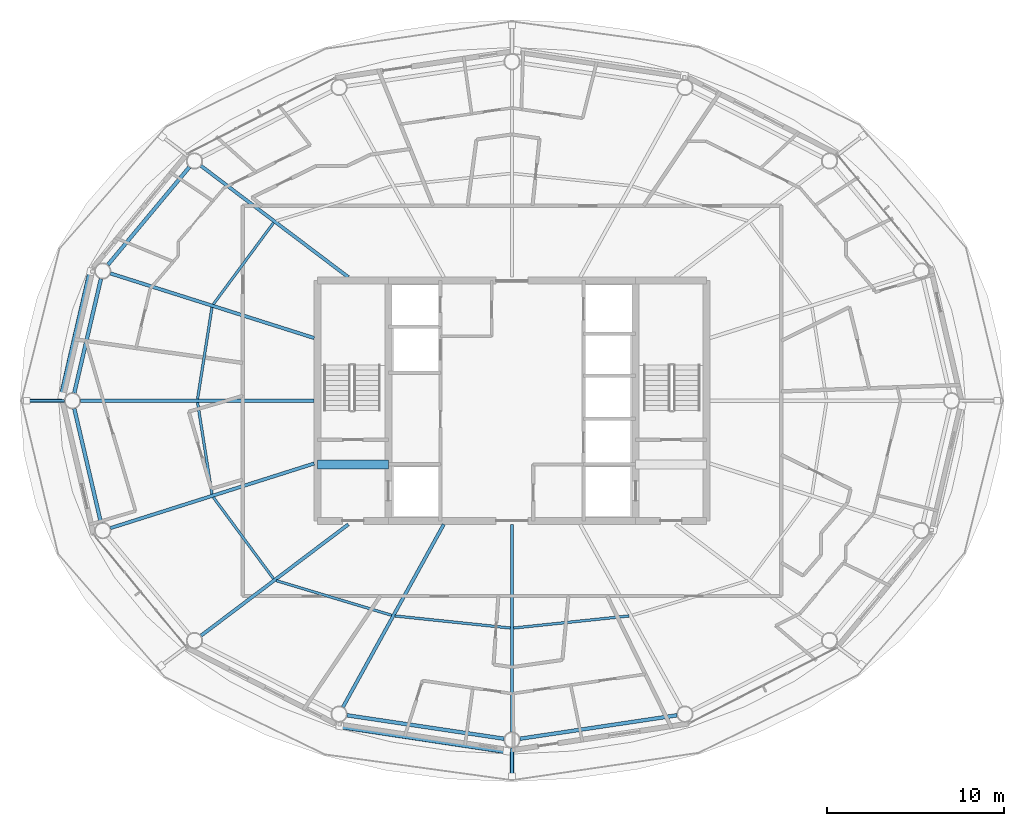
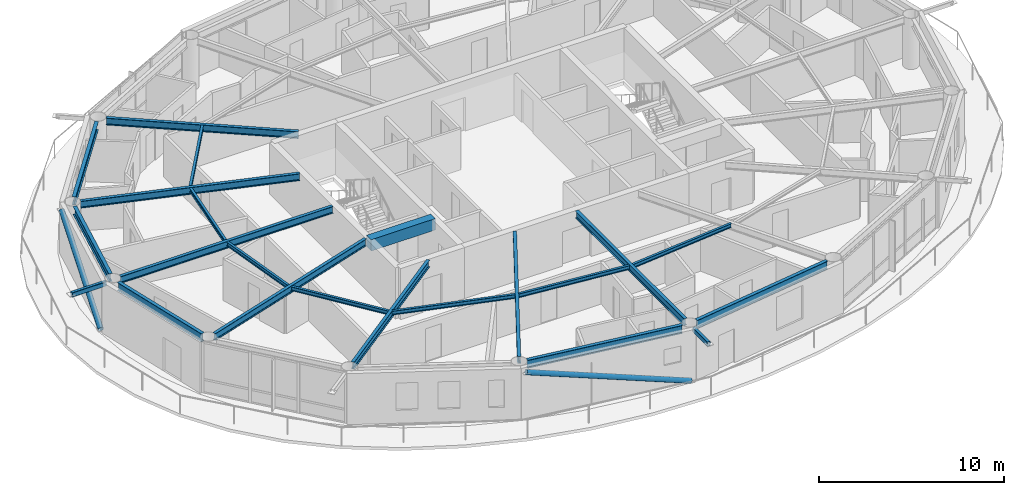
# One storey, part 4 of 23: 20 beams, 4 members.
"""IFC4 building model written with IfcOpenShell, lengths in metres."""

from ifc_helpers import new_model, si_unit, direction, frame, origin, origin_2d, place, context, subcontext, project, spatial, rectangle, hollow_rectangle, hollow_circle, i_section, extrude, material, material_profile, profile_set, type_object, element, save


model = new_model("IFC4")

# Units and contexts
model_context = context("Model", 3, precision=1e-05, world=origin(), true_north=direction((0.0, 1.0)))
body_context = subcontext(model_context, "Body", "Model", "MODEL_VIEW")
ifc_project = project(units=[si_unit("LENGTHUNIT", "METRE"), si_unit("AREAUNIT", "SQUARE_METRE"), si_unit("VOLUMEUNIT", "CUBIC_METRE"), si_unit("PLANEANGLEUNIT", "RADIAN"), si_unit("MASSUNIT", "GRAM", prefix="KILO")], contexts=[model_context])

# Site, building, storey
site_placement = place(None, origin())
site = spatial("IfcSite", under=ifc_project, at=site_placement, CompositionType="ELEMENT")
building_placement = place(site_placement, origin())
building = spatial("IfcBuilding", under=site, at=building_placement, Name="Sarneth Arch Tower", CompositionType="ELEMENT")
storey_placement = place(building_placement, frame((0.0, 0.0, 231.60009765625)))
storey = spatial("IfcBuildingStorey", under=building, at=storey_placement, Name="L59", CompositionType="ELEMENT", Elevation=231.60009765625)

# Beams
ifc_material_1 = material(Name="Steel S355", Category="steel")
ifc_material_profile_1 = material_profile(ifc_material_1, i_section(OverallWidth=0.14794921875, OverallDepth=0.26611328125, WebThickness=0.007568359375, FlangeThickness=0.012939453125, FilletRadius=0.012939453125, at=origin_2d()), Name="W250x44.8")
ifc_profile_set_1 = profile_set([ifc_material_profile_1], Name="Steel S355")
beam_type_1 = type_object("IfcBeamType", Name="BM-JOIST-250", PredefinedType="JOIST", material=ifc_profile_set_1)
beam_1_placement = place(storey_placement, frame((34.5009765625, 52.075439453125, 3.226806640625), z_axis=(-0.594557229879, -0.804053294501, 0.0), x_axis=(0.804053294501, -0.594557229879, 0.0)))
element("IfcBeam", 1, at=beam_1_placement, inside=storey, type_object=beam_type_1, Name="L59 Secondary floor joist 07", PredefinedType="JOIST", context=body_context, shape_type="SweptSolid", body=[
    extrude(i_section(OverallWidth=0.14794921875, OverallDepth=0.26611328125, WebThickness=0.007568359375, FlangeThickness=0.012939453125, FilletRadius=0.012939453125, at=origin_2d()), origin(), (0.0, 0.0, 1.0), 5.74169921875),
])
for number, where, z_axis, x_axis, name in (
    (2, (31.01513671875, 47.286865234375, 3.226806640625), (-0.155421095795, -0.987848309702, 0.0), (0.987848309702, -0.155421095795, 0.0), "L59 Secondary floor joist 08"),
    (3, (30.1982421875, 41.9052734375, 3.226806640625), (0.155421095795, -0.987848309702, 0.0), (0.987848309702, 0.155421095795, 0.0), "L59 Secondary floor joist 09"),
):
    element("IfcBeam", number, at=place(storey_placement, frame(where, z_axis=z_axis, x_axis=x_axis)), inside=storey, type_object=beam_type_1, Name=name, PredefinedType="JOIST", context=body_context, shape_type="SweptSolid", body=[
        extrude(i_section(OverallWidth=0.14794921875, OverallDepth=0.26611328125, WebThickness=0.007568359375, FlangeThickness=0.012939453125, FilletRadius=0.012939453125, at=origin_2d()), origin(), (0.0, 0.0, 1.0), 5.256103515625),
    ])
beam_2_placement = place(storey_placement, frame((31.087158203125, 36.541259765625, 3.226806640625), z_axis=(0.594557229879, -0.804053294501, 0.0), x_axis=(0.804053294501, 0.594557229879, 0.0)))
element("IfcBeam", 4, at=beam_2_placement, inside=storey, type_object=beam_type_1, Name="L59 Secondary floor joist 10", PredefinedType="JOIST", context=body_context, shape_type="SweptSolid", body=[
    extrude(i_section(OverallWidth=0.14794921875, OverallDepth=0.26611328125, WebThickness=0.007568359375, FlangeThickness=0.012939453125, FilletRadius=0.012939453125, at=origin_2d()), origin(), (0.0, 0.0, 1.0), 5.74169921875),
])
beam_3_placement = place(storey_placement, frame((34.64990234375, 31.81982421875, 3.226806640625), z_axis=(0.957725851155, -0.287682453461, 0.0), x_axis=(0.287682453461, 0.957725851155, 0.0)))
element("IfcBeam", 5, at=beam_3_placement, inside=storey, type_object=beam_type_1, Name="L59 Secondary floor joist 11", PredefinedType="JOIST", context=body_context, shape_type="SweptSolid", body=[
    extrude(i_section(OverallWidth=0.14794921875, OverallDepth=0.26611328125, WebThickness=0.007568359375, FlangeThickness=0.012939453125, FilletRadius=0.012939453125, at=origin_2d()), origin(), (0.0, 0.0, 1.0), 6.828125),
])
for number, where, z_axis, x_axis, name in (
    (6, (41.376953125, 29.81787109375, 3.226806640625), (0.994572713015, -0.104043829835, 0.0), (0.104043829835, 0.994572713015, 0.0), "L59 Secondary floor joist 12"),
    (7, (48.095458984375, 29.135009765625, 3.226806640625), (0.994572713015, 0.104043829835, 0.0), (-0.104043829835, 0.994572713015, 0.0), "L59 Secondary floor joist 13"),
):
    element("IfcBeam", number, at=place(storey_placement, frame(where, z_axis=z_axis, x_axis=x_axis)), inside=storey, type_object=beam_type_1, Name=name, PredefinedType="JOIST", context=body_context, shape_type="SweptSolid", body=[
        extrude(i_section(OverallWidth=0.14794921875, OverallDepth=0.26611328125, WebThickness=0.007568359375, FlangeThickness=0.012939453125, FilletRadius=0.012939453125, at=origin_2d()), origin(), (0.0, 0.0, 1.0), 6.563232421875),
    ])
ifc_material_2 = material(Name="Concrete C50/60", Category="concrete")
ifc_material_profile_2 = material_profile(ifc_material_2, rectangle(XDim=0.5, YDim=0.75, at=origin_2d()), Name="RC-500x750")
ifc_profile_set_2 = profile_set([ifc_material_profile_2], Name="Concrete C50/60")
beam_type_2 = type_object("IfcBeamType", Name="BM-LINTEL-RC", PredefinedType="LINTEL", material=ifc_profile_set_2)
beam_4_placement = place(storey_placement, frame((37.0, 38.39990234375, 2.98486328125), z_axis=(1.0, 0.0, 0.0), x_axis=(0.0, 1.0, 0.0)))
element("IfcBeam", 8, at=beam_4_placement, inside=storey, type_object=beam_type_2, Name="L59 Core coupling lintel W", PredefinedType="LINTEL", context=body_context, shape_type="SweptSolid", body=[
    extrude(rectangle(XDim=0.5, YDim=0.75, at=origin_2d()), origin(), (0.0, 0.0, 1.0), 4.0),
])
ifc_material_3 = material(Name="Steel S355", Category="steel")
ifc_material_profile_3 = material_profile(ifc_material_3, i_section(OverallWidth=0.19189453125, OverallDepth=0.462890625, WebThickness=0.010498046875, FlangeThickness=0.017578125, FilletRadius=0.01806640625, at=origin_2d()), Name="W460x89")
ifc_profile_set_3 = profile_set([ifc_material_profile_3], Name="Steel S355")
beam_type_3 = type_object("IfcBeamType", Name="BM-RAD-460B", PredefinedType="BEAM", material=ifc_profile_set_3)
beam_5_placement = place(storey_placement, frame((38.73193359375, 49.0, 3.12841796875), z_axis=(-0.79797356997, 0.602692443647, 0.0), x_axis=(-0.602692443647, -0.79797356997, 0.0)))
element("IfcBeam", 9, at=beam_5_placement, inside=storey, type_object=beam_type_3, Name="L59 Radial floor girder 07", PredefinedType="BEAM", context=body_context, shape_type="SweptSolid", body=[
    extrude(i_section(OverallWidth=0.19189453125, OverallDepth=0.462890625, WebThickness=0.010498046875, FlangeThickness=0.017578125, FilletRadius=0.01806640625, at=origin_2d()), origin(), (0.0, 0.0, 1.0), 10.461669921875),
])
beam_6_placement = place(storey_placement, frame((36.800048828125, 45.5517578125, 3.12841796875), z_axis=(-0.953215615433, 0.302291234563, 0.0), x_axis=(-0.302291234563, -0.953215615433, 0.0)))
element("IfcBeam", 10, at=beam_6_placement, inside=storey, type_object=beam_type_3, Name="L59 Radial floor girder 08", PredefinedType="BEAM", context=body_context, shape_type="SweptSolid", body=[
    extrude(i_section(OverallWidth=0.19189453125, OverallDepth=0.462890625, WebThickness=0.010498046875, FlangeThickness=0.017578125, FilletRadius=0.01806640625, at=origin_2d()), origin(), (0.0, 0.0, 1.0), 12.1064453125),
])
beam_7_placement = place(storey_placement, frame((36.800048828125, 42.0, 3.12841796875), z_axis=(-1.0, 0.0, 0.0), x_axis=(0.0, -1.0, 0.0)))
element("IfcBeam", 11, at=beam_7_placement, inside=storey, type_object=beam_type_3, Name="L59 Radial floor girder 09", PredefinedType="BEAM", context=body_context, shape_type="SweptSolid", body=[
    extrude(i_section(OverallWidth=0.19189453125, OverallDepth=0.462890625, WebThickness=0.010498046875, FlangeThickness=0.017578125, FilletRadius=0.01806640625, at=origin_2d()), origin(), (0.0, 0.0, 1.0), 13.233154296875),
])
beam_8_placement = place(storey_placement, frame((36.800048828125, 38.4482421875, 3.12841796875), z_axis=(-0.953215615433, -0.302291234563, 0.0), x_axis=(0.302291234563, -0.953215615433, 0.0)))
element("IfcBeam", 12, at=beam_8_placement, inside=storey, type_object=beam_type_3, Name="L59 Radial floor girder 10", PredefinedType="BEAM", context=body_context, shape_type="SweptSolid", body=[
    extrude(i_section(OverallWidth=0.19189453125, OverallDepth=0.462890625, WebThickness=0.010498046875, FlangeThickness=0.017578125, FilletRadius=0.01806640625, at=origin_2d()), origin(), (0.0, 0.0, 1.0), 12.1064453125),
])
beam_9_placement = place(storey_placement, frame((38.73193359375, 35.0, 3.12841796875), z_axis=(-0.79797356997, -0.602692443647, 0.0), x_axis=(0.602692443647, -0.79797356997, 0.0)))
element("IfcBeam", 13, at=beam_9_placement, inside=storey, type_object=beam_type_3, Name="L59 Radial floor girder 11", PredefinedType="BEAM", context=body_context, shape_type="SweptSolid", body=[
    extrude(i_section(OverallWidth=0.19189453125, OverallDepth=0.462890625, WebThickness=0.010498046875, FlangeThickness=0.017578125, FilletRadius=0.01806640625, at=origin_2d()), origin(), (0.0, 0.0, 1.0), 10.461669921875),
])
beam_10_placement = place(storey_placement, frame((44.13623046875, 35.0, 3.12841796875), z_axis=(-0.483218265038, -0.875499919094, 0.0), x_axis=(0.875499919094, -0.483218265038, 0.0)))
element("IfcBeam", 14, at=beam_10_placement, inside=storey, type_object=beam_type_3, Name="L59 Radial floor girder 12", PredefinedType="BEAM", context=body_context, shape_type="SweptSolid", body=[
    extrude(i_section(OverallWidth=0.19189453125, OverallDepth=0.462890625, WebThickness=0.010498046875, FlangeThickness=0.017578125, FilletRadius=0.01806640625, at=origin_2d()), origin(), (0.0, 0.0, 1.0), 11.8154296875),
])
beam_11_placement = place(storey_placement, frame((48.0, 35.0, 3.12841796875), z_axis=(0.0, -1.0, 0.0), x_axis=(1.0, 0.0, 0.0)))
element("IfcBeam", 15, at=beam_11_placement, inside=storey, type_object=beam_type_3, Name="L59 Radial floor girder 13", PredefinedType="BEAM", context=body_context, shape_type="SweptSolid", body=[
    extrude(i_section(OverallWidth=0.19189453125, OverallDepth=0.462890625, WebThickness=0.010498046875, FlangeThickness=0.017578125, FilletRadius=0.01806640625, at=origin_2d()), origin(), (0.0, 0.0, 1.0), 11.75),
])
ifc_material_4 = material(Name="Steel S355", Category="steel")
ifc_material_profile_4 = material_profile(ifc_material_4, i_section(OverallWidth=0.2109375, OverallDepth=0.5390625, WebThickness=0.01171875, FlangeThickness=0.018798828125, FilletRadius=0.01806640625, at=origin_2d()), Name="W530x109")
ifc_profile_set_4 = profile_set([ifc_material_profile_4], Name="Steel S355")
beam_type_4 = type_object("IfcBeamType", Name="BM-RAD-530B", PredefinedType="BEAM", material=ifc_profile_set_4)
beam_12_placement = place(storey_placement, frame((29.736572265625, 55.230712890625, 3.09033203125), z_axis=(-0.640390876881, -0.768049168222, 0.0), x_axis=(0.768049168222, -0.640390876881, 0.0)))
element("IfcBeam", 16, at=beam_12_placement, inside=storey, type_object=beam_type_4, Name="L59 Perimeter spandrel beam 07", PredefinedType="BEAM", context=body_context, shape_type="SweptSolid", body=[
    extrude(i_section(OverallWidth=0.2109375, OverallDepth=0.5390625, WebThickness=0.01171875, FlangeThickness=0.018798828125, FilletRadius=0.01806640625, at=origin_2d()), origin(), (0.0, 0.0, 1.0), 7.2099609375),
])
for number, where, z_axis, x_axis, name in (
    (17, (24.72900390625, 48.9091796875, 3.09033203125), (-0.227247037844, -0.973837144389, 0.0), (0.973837144389, -0.227247037844, 0.0), "L59 Perimeter spandrel beam 08"),
    (18, (23.218994140625, 41.561767578125, 3.09033203125), (0.227247037844, -0.973837144389, 0.0), (0.973837144389, 0.227247037844, 0.0), "L59 Perimeter spandrel beam 09"),
):
    element("IfcBeam", number, at=place(storey_placement, frame(where, z_axis=z_axis, x_axis=x_axis)), inside=storey, type_object=beam_type_4, Name=name, PredefinedType="BEAM", context=body_context, shape_type="SweptSolid", body=[
        extrude(i_section(OverallWidth=0.2109375, OverallDepth=0.5390625, WebThickness=0.01171875, FlangeThickness=0.018798828125, FilletRadius=0.01806640625, at=origin_2d()), origin(), (0.0, 0.0, 1.0), 6.644775390625),
    ])
for number, where, z_axis, x_axis, name in (
    (19, (38.654296875, 24.195068359375, 3.09033203125), (0.989041765772, -0.147635990052, 0.0), (0.147635990052, 0.989041765772, 0.0), "L59 Perimeter spandrel beam 12"),
    (20, (48.445068359375, 22.866455078125, 3.09033203125), (0.989041765772, 0.147635990052, 0.0), (-0.147635990052, 0.989041765772, 0.0), "L59 Perimeter spandrel beam 13"),
):
    element("IfcBeam", number, at=place(storey_placement, frame(where, z_axis=z_axis, x_axis=x_axis)), inside=storey, type_object=beam_type_4, Name=name, PredefinedType="BEAM", context=body_context, shape_type="SweptSolid", body=[
        extrude(i_section(OverallWidth=0.2109375, OverallDepth=0.5390625, WebThickness=0.01171875, FlangeThickness=0.018798828125, FilletRadius=0.01806640625, at=origin_2d()), origin(), (0.0, 0.0, 1.0), 8.999267578125),
    ])

# Members
ifc_material_5 = material(Name="Steel S355", Category="steel")
ifc_material_profile_5 = material_profile(ifc_material_5, hollow_rectangle(XDim=0.199951171875, YDim=0.300048828125, WallThickness=0.012451171875, InnerFilletRadius=0.018798828125, OuterFilletRadius=0.03125, at=origin_2d()), Name="RHS300x200x12.5")
ifc_profile_set_5 = profile_set([ifc_material_profile_5], Name="Steel S355")
member_type_1 = type_object("IfcMemberType", Name="MEM-CANT-STRUT", PredefinedType="STRUT", material=ifc_profile_set_5)
member_1_placement = place(storey_placement, frame((22.666748046875, 42.0, 3.199951171875), z_axis=(-1.0, 0.0, 0.0), x_axis=(0.0, -1.0, 0.0)))
element("IfcMember", 21, at=member_1_placement, inside=storey, type_object=member_type_1, Name="L59 Balcony cantilever bracket 09", PredefinedType="STRUT", context=body_context, shape_type="SweptSolid", body=[
    extrude(hollow_rectangle(XDim=0.199951171875, YDim=0.300048828125, WallThickness=0.012451171875, InnerFilletRadius=0.018798828125, OuterFilletRadius=0.03125, at=origin_2d()), origin(), (0.0, 0.0, 1.0), 2.145751953125),
])
member_2_placement = place(storey_placement, frame((48.0, 22.35009765625, 3.199951171875), z_axis=(0.0, -1.0, 0.0), x_axis=(1.0, 0.0, 0.0)))
element("IfcMember", 22, at=member_2_placement, inside=storey, type_object=member_type_1, Name="L59 Balcony cantilever bracket 13", PredefinedType="STRUT", context=body_context, shape_type="SweptSolid", body=[
    extrude(hollow_rectangle(XDim=0.199951171875, YDim=0.300048828125, WallThickness=0.012451171875, InnerFilletRadius=0.018798828125, OuterFilletRadius=0.03125, at=origin_2d()), origin(), (0.0, 0.0, 1.0), 1.604248046875),
])
ifc_material_6 = material(Name="Steel S355", Category="steel")
ifc_material_profile_6 = material_profile(ifc_material_6, hollow_circle(Radius=0.162109375, WallThickness=0.012451171875, at=origin_2d()), Name="CHS324x12.5")
ifc_profile_set_6 = profile_set([ifc_material_profile_6], Name="Steel S355")
member_type_2 = type_object("IfcMemberType", Name="MEM-DIAG-BR3", PredefinedType="BRACE", material=ifc_profile_set_6)
member_3_placement = place(storey_placement, frame((22.5234375, 42.292236328125, 0.02001953125), z_axis=(0.207917989892, 0.898749333617, 0.386030756289), x_axis=(-0.974268900284, 0.225388797281, 0.0)))
element("IfcMember", 23, at=member_3_placement, inside=storey, type_object=member_type_2, Name="L59 Perimeter frame diagonal 08", PredefinedType="BRACE", context=body_context, shape_type="SweptSolid", body=[
    extrude(hollow_circle(Radius=0.162109375, WallThickness=0.012451171875, at=origin_2d()), origin(), (0.0, 0.0, 1.0), 7.814453125),
])
member_4_placement = place(storey_placement, frame((47.703369140625, 22.16455078125, 0.02001953125), z_axis=(-0.943056107878, 0.142001297879, 0.300800280576), x_axis=(-0.148897148305, -0.988852688335, 0.0)))
element("IfcMember", 24, at=member_4_placement, inside=storey, type_object=member_type_2, Name="L59 Perimeter frame diagonal 12", PredefinedType="BRACE", context=body_context, shape_type="SweptSolid", body=[
    extrude(hollow_circle(Radius=0.162109375, WallThickness=0.012451171875, at=origin_2d()), origin(), (0.0, 0.0, 1.0), 10.028564453125),
])

save(model, "model.ifc")
